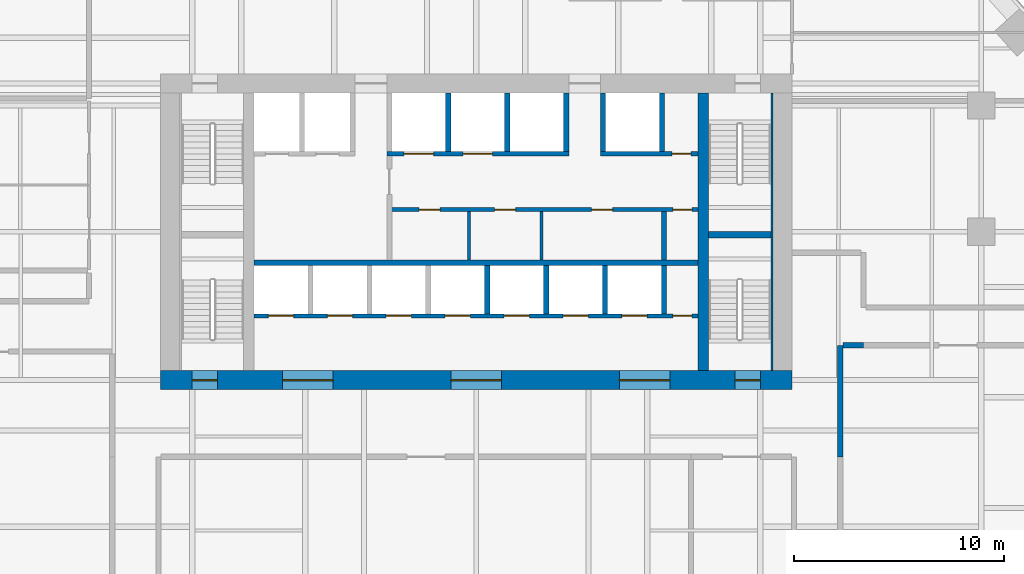
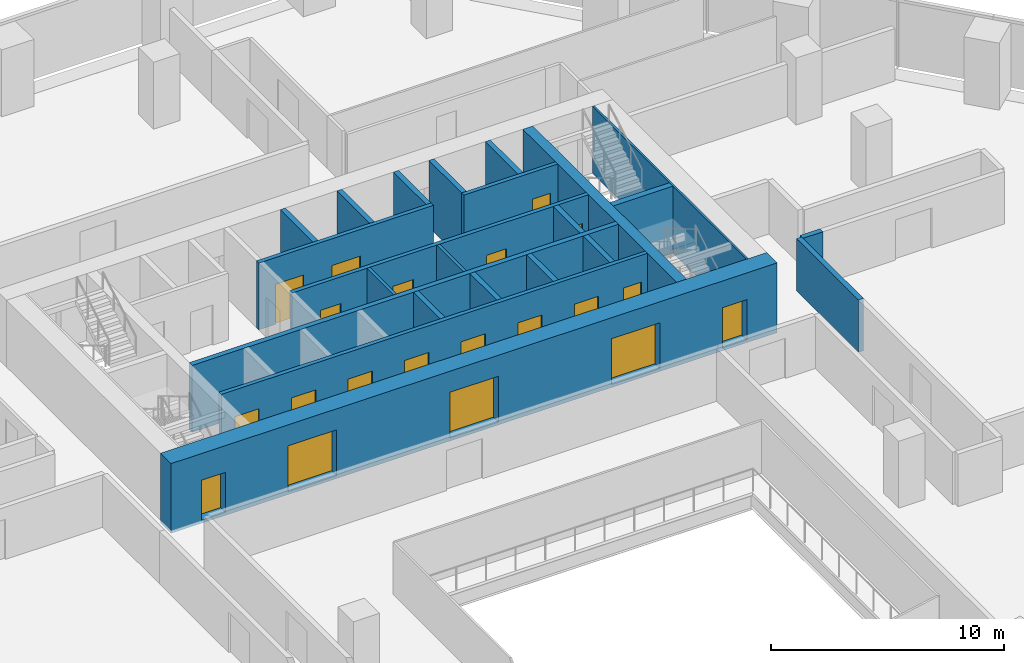
# One storey, part 15 of 19: 23 walls, 20 doors, 20 openings.
"""IFC4 building model written with IfcOpenShell, lengths in metres."""

from ifc_helpers import new_model, si_unit, direction, frame, frame_2d, origin, place, context, subcontext, project, spatial, rectangle, extrude, material, layer, layer_set, type_object, element, fill, save


model = new_model("IFC4")

# Units and contexts
model_context = context("Model", 3, precision=1e-05, world=origin(), true_north=direction((0.0, 1.0)))
body_context = subcontext(model_context, "Body", "Model", "MODEL_VIEW")
ifc_project = project(units=[si_unit("LENGTHUNIT", "METRE"), si_unit("AREAUNIT", "SQUARE_METRE"), si_unit("VOLUMEUNIT", "CUBIC_METRE"), si_unit("PLANEANGLEUNIT", "RADIAN"), si_unit("MASSUNIT", "GRAM", prefix="KILO")], contexts=[model_context])

# Site, building, storey
site_placement = place(None, origin())
site = spatial("IfcSite", under=ifc_project, at=site_placement, CompositionType="ELEMENT")
building_placement = place(site_placement, origin())
building = spatial("IfcBuilding", under=site, at=building_placement, Name="Isthmus Gate Tower", CompositionType="ELEMENT")
storey_placement = place(building_placement, frame((0.0, 0.0, 87.949951171875)))
storey = spatial("IfcBuildingStorey", under=building, at=storey_placement, Name="L20", CompositionType="ELEMENT", Elevation=87.949951171875)

# Walls
ifc_material_1 = material(Name="Double-leaf acoustic stud wall, fire-rated", Category="gypsum")
ifc_layer_1 = layer(ifc_material_1, 0.25)
ifc_layer_set_1 = layer_set([ifc_layer_1], Name="ACOUSTIC WALL 250 60 MIN")
wall_type_1 = type_object("IfcWallType", Name="ACOUSTIC WALL 250 60 MIN", PredefinedType="PARTITIONING", material=ifc_layer_set_1)
wall_1_placement = place(storey_placement, frame((17.298095703125, 2.10205078125, 0.0), z_axis=(0.0, 0.0, 1.0), x_axis=(0.0, -1.0, 0.0)))
element("IfcWall", 1, at=wall_1_placement, inside=storey, type_object=wall_type_1, Name="L20 Acoustic Wall 250 60 Min", PredefinedType="PARTITIONING", context=body_context, shape_type="SweptSolid", body=[
    extrude(rectangle(XDim=5.303955078125, YDim=0.25, at=frame_2d((2.65185546875, 0.0))), origin(), (0.0, 0.0, 1.0), 2.7412109375),
])
wall_2_placement = place(storey_placement, frame((18.402099609375, 2.10205078125, 0.0), z_axis=(0.0, 0.0, 1.0), x_axis=(-1.0, 0.0, 0.0)))
element("IfcWall", 2, at=wall_2_placement, inside=storey, type_object=wall_type_1, Name="L20 Acoustic Wall 250 60 Min", PredefinedType="PARTITIONING", context=body_context, shape_type="SweptSolid", body=[
    extrude(rectangle(XDim=0.97900390625, YDim=0.25, at=frame_2d((0.489501953125, 0.0))), origin(), (0.0, 0.0, 1.0), 2.7412109375),
])
ifc_material_2 = material(Name="Concrete f'c 70 MPa", Category="concrete")
ifc_layer_2 = layer(ifc_material_2, 0.5)
ifc_layer_set_2 = layer_set([ifc_layer_2], Name="RC CORE SPINE WALL 500 F'C 70")
wall_type_2 = type_object("IfcWallType", Name="RC CORE SPINE WALL 500 F'C 70", PredefinedType="SOLIDWALL", material=ifc_layer_set_2)
wall_3_placement = place(storey_placement, frame((10.800048828125, 0.89990234375, -0.14990234375), z_axis=(0.0, 0.0, 1.0), x_axis=(0.0, 1.0, 0.0)))
element("IfcWall", 3, at=wall_3_placement, inside=storey, type_object=wall_type_2, Name="str-corewall-L20-SPE", PredefinedType="SOLIDWALL", context=body_context, shape_type="SweptSolid", body=[
    extrude(rectangle(XDim=13.2001953125, YDim=0.5, at=frame_2d((6.60009765625, 0.0))), origin(), (0.0, 0.0, 1.0), 3.64990234375),
])

# Wall, openings, doors
ifc_material_3 = material(Name="Concrete f'c 70 MPa", Category="concrete")
ifc_layer_3 = layer(ifc_material_3, 0.89990234375)
ifc_layer_set_3 = layer_set([ifc_layer_3], Name="RC CORE WALL 900 F'C 70")
wall_type_3 = type_object("IfcWallType", Name="RC CORE WALL 900 F'C 70", PredefinedType="SOLIDWALL", material=ifc_layer_set_3)
wall_4_placement = place(storey_placement, frame((-15.0, 0.449951171875, -0.14990234375), z_axis=(0.0, 0.0, 1.0), x_axis=(1.0, 0.0, 0.0)))
wall_4 = element("IfcWall", 4, at=wall_4_placement, inside=storey, type_object=wall_type_3, Name="str-corewall-L20-S", PredefinedType="SOLIDWALL", context=body_context, shape_type="SweptSolid", body=[
    extrude(rectangle(XDim=30.0, YDim=0.89990234375, at=frame_2d((15.0, 0.0))), origin(), (0.0, 0.0, 1.0), 3.64990234375),
])
opening_1_placement = place(wall_4_placement, frame((5.800048828125, 0.0, 0.14990234375)))
opening_1 = element("IfcOpeningElement", 5, at=opening_1_placement, cuts=wall_4, Name="Opening DC-A05-08", PredefinedType="OPENING", context=body_context, shape_type="SweptSolid", body=[
    extrude(rectangle(XDim=2.39990234375, YDim=2.39990234375, at=frame_2d((1.199951171875, 1.199951171875))), frame((0.0, 0.4599609375, 0.0), z_axis=(0.0, -1.0, 0.0), x_axis=(1.0, 0.0, 0.0)), (0.0, 0.0, 1.0), 0.919921875),
])
opening_2_placement = place(wall_4_placement, frame((13.800048828125, 0.0, 0.14990234375)))
opening_2 = element("IfcOpeningElement", 6, at=opening_2_placement, cuts=wall_4, Name="Opening DC-A05-09", PredefinedType="OPENING", context=body_context, shape_type="SweptSolid", body=[
    extrude(rectangle(XDim=2.39990234375, YDim=2.39990234375, at=frame_2d((1.199951171875, 1.199951171875))), frame((0.0, 0.4599609375, 0.0), z_axis=(0.0, -1.0, 0.0), x_axis=(1.0, 0.0, 0.0)), (0.0, 0.0, 1.0), 0.919921875),
])
opening_3_placement = place(wall_4_placement, frame((21.800048828125, 0.0, 0.14990234375)))
opening_3 = element("IfcOpeningElement", 7, at=opening_3_placement, cuts=wall_4, Name="Opening DC-A05-10", PredefinedType="OPENING", context=body_context, shape_type="SweptSolid", body=[
    extrude(rectangle(XDim=2.39990234375, YDim=2.39990234375, at=frame_2d((1.199951171875, 1.199951171875))), frame((0.0, 0.4599609375, 0.0), z_axis=(0.0, -1.0, 0.0), x_axis=(1.0, 0.0, 0.0)), (0.0, 0.0, 1.0), 0.919921875),
])
opening_4_placement = place(wall_4_placement, frame((1.5, 0.0, 0.14990234375)))
opening_4 = element("IfcOpeningElement", 8, at=opening_4_placement, cuts=wall_4, Name="Opening DC-A05-15", PredefinedType="OPENING", context=body_context, shape_type="SweptSolid", body=[
    extrude(rectangle(XDim=1.199951171875, YDim=2.10009765625, at=frame_2d((0.60009765625, 1.050048828125))), frame((0.0, 0.4599609375, 0.0), z_axis=(0.0, -1.0, 0.0), x_axis=(1.0, 0.0, 0.0)), (0.0, 0.0, 1.0), 0.919921875),
])
opening_5_placement = place(wall_4_placement, frame((27.300048828125, 0.0, 0.14990234375)))
opening_5 = element("IfcOpeningElement", 9, at=opening_5_placement, cuts=wall_4, Name="Opening DC-A05-16", PredefinedType="OPENING", context=body_context, shape_type="SweptSolid", body=[
    extrude(rectangle(XDim=1.199951171875, YDim=2.10009765625, at=frame_2d((0.60009765625, 1.050048828125))), frame((0.0, 0.4599609375, 0.0), z_axis=(0.0, -1.0, 0.0), x_axis=(1.0, 0.0, 0.0)), (0.0, 0.0, 1.0), 0.919921875),
])
ifc_material_4 = material(Name="Laminated safety glass in steel frame, fire-rated", Category="steel")
door_type_1 = type_object("IfcDoorType", Name="LOBBY ENTRANCE FIRE DOOR 2400 X 2400 60 MIN", OperationType="DOUBLE_DOOR_DOUBLE_SWING", PredefinedType="DOOR", material=ifc_material_4)
door_1_placement = place(opening_1_placement, origin())
door_1 = element("IfcDoor", 10, at=door_1_placement, inside=storey, type_object=door_type_1, Name="Lobby Entrance PS-W", OperationType="DOUBLE_DOOR_DOUBLE_SWING", OverallHeight=2.39990234375, OverallWidth=2.39990234375, PredefinedType="DOOR", context=body_context, shape_type="SweptSolid", body=[
    extrude(rectangle(XDim=2.39990234375, YDim=2.39990234375, at=frame_2d((1.199951171875, 1.199951171875))), frame((0.0, 0.02490234375, 0.0), z_axis=(0.0, -1.0, 0.0), x_axis=(1.0, 0.0, 0.0)), (0.0, 0.0, 1.0), 0.050048828125),
])
fill(opening_1, door_1)
door_2_placement = place(opening_2_placement, origin())
door_2 = element("IfcDoor", 11, at=door_2_placement, inside=storey, type_object=door_type_1, Name="Lobby Entrance PS-C", OperationType="DOUBLE_DOOR_DOUBLE_SWING", OverallHeight=2.39990234375, OverallWidth=2.39990234375, PredefinedType="DOOR", context=body_context, shape_type="SweptSolid", body=[
    extrude(rectangle(XDim=2.39990234375, YDim=2.39990234375, at=frame_2d((1.199951171875, 1.199951171875))), frame((0.0, 0.02490234375, 0.0), z_axis=(0.0, -1.0, 0.0), x_axis=(1.0, 0.0, 0.0)), (0.0, 0.0, 1.0), 0.050048828125),
])
fill(opening_2, door_2)
door_3_placement = place(opening_3_placement, origin())
door_3 = element("IfcDoor", 12, at=door_3_placement, inside=storey, type_object=door_type_1, Name="Lobby Entrance PS-E", OperationType="DOUBLE_DOOR_DOUBLE_SWING", OverallHeight=2.39990234375, OverallWidth=2.39990234375, PredefinedType="DOOR", context=body_context, shape_type="SweptSolid", body=[
    extrude(rectangle(XDim=2.39990234375, YDim=2.39990234375, at=frame_2d((1.199951171875, 1.199951171875))), frame((0.0, 0.02490234375, 0.0), z_axis=(0.0, -1.0, 0.0), x_axis=(1.0, 0.0, 0.0)), (0.0, 0.0, 1.0), 0.050048828125),
])
fill(opening_3, door_3)
ifc_material_5 = material(Name="Steel door leaf, fire-rated", Category="steel")
door_type_2 = type_object("IfcDoorType", Name="STAIR FIRE DOOR 1200 X 2100 90 MIN", OperationType="SINGLE_SWING_LEFT", PredefinedType="DOOR", material=ifc_material_5)
door_4_placement = place(opening_4_placement, origin())
door_4 = element("IfcDoor", 13, at=door_4_placement, inside=storey, type_object=door_type_2, Name="Exit Stair 7 Door", OperationType="SINGLE_SWING_LEFT", OverallHeight=2.10009765625, OverallWidth=1.199951171875, PredefinedType="DOOR", context=body_context, shape_type="SweptSolid", body=[
    extrude(rectangle(XDim=1.199951171875, YDim=2.10009765625, at=frame_2d((0.60009765625, 1.050048828125))), frame((0.0, 0.02490234375, 0.0), z_axis=(0.0, -1.0, 0.0), x_axis=(1.0, 0.0, 0.0)), (0.0, 0.0, 1.0), 0.050048828125),
])
fill(opening_4, door_4)
door_5_placement = place(opening_5_placement, origin())
door_5 = element("IfcDoor", 14, at=door_5_placement, inside=storey, type_object=door_type_2, Name="Exit Stair 8 Door", OperationType="SINGLE_SWING_RIGHT", OverallHeight=2.10009765625, OverallWidth=1.199951171875, PredefinedType="DOOR", context=body_context, shape_type="SweptSolid", body=[
    extrude(rectangle(XDim=1.199951171875, YDim=2.10009765625, at=frame_2d((0.60009765625, 1.050048828125))), frame((0.0, 0.02490234375, 0.0), z_axis=(0.0, -1.0, 0.0), x_axis=(1.0, 0.0, 0.0)), (0.0, 0.0, 1.0), 0.050048828125),
])
fill(opening_5, door_5)

# Walls
ifc_material_6 = material(Name="Gypsum board on steel studs, fire-rated", Category="steel")
ifc_layer_4 = layer(ifc_material_6, 0.14990234375)
ifc_layer_set_4 = layer_set([ifc_layer_4], Name="ROOM PARTITION 150 60 MIN")
wall_type_4 = type_object("IfcWallType", Name="ROOM PARTITION 150 60 MIN", PredefinedType="PARTITIONING", material=ifc_layer_set_4)
for number, where, z_axis, x_axis, name in (
    (15, (-0.35009765625, 6.14990234375, 0.0), (0.0, 0.0, 1.0), (0.0, 1.0, 0.0), "L20 ROOM PARTITION 150 60 MIN"),
    (16, (3.10009765625, 6.14990234375, 0.0), (0.0, 0.0, 1.0), (0.0, 1.0, 0.0), "L20 ROOM PARTITION 150 60 MIN"),
):
    element("IfcWall", number, at=place(storey_placement, frame(where, z_axis=z_axis, x_axis=x_axis)), inside=storey, type_object=wall_type_4, Name=name, PredefinedType="PARTITIONING", context=body_context, shape_type="SweptSolid", body=[
        extrude(rectangle(XDim=2.300048828125, YDim=0.14990234375, at=frame_2d((1.14990234375, 0.0))), origin(), (0.0, 0.0, 1.0), 3.5),
    ])

# Wall, openings, doors
ifc_material_7 = material(Name="Fire-rated blockwork masonry, 15 MPa", Category="masonry")
ifc_layer_5 = layer(ifc_material_7, 0.199951171875)
ifc_layer_set_5 = layer_set([ifc_layer_5], Name="SHAFT FRONT WALL 200 120 MIN")
wall_type_5 = type_object("IfcWallType", Name="SHAFT FRONT WALL 200 120 MIN", PredefinedType="PARTITIONING", material=ifc_layer_set_5)
wall_5_placement = place(storey_placement, frame((-10.550048828125, 3.5, 0.0), z_axis=(0.0, 0.0, 1.0), x_axis=(1.0, 0.0, 0.0)))
wall_5 = element("IfcWall", 17, at=wall_5_placement, inside=storey, type_object=wall_type_5, Name="L20 SHAFT FRONT WALL 200 120 MIN", PredefinedType="PARTITIONING", context=body_context, shape_type="SweptSolid", body=[
    extrude(rectangle(XDim=21.10009765625, YDim=0.199951171875, at=frame_2d((10.550048828125, 0.0))), origin(), (0.0, 0.0, 1.0), 3.5),
])
opening_6_placement = place(wall_5_placement, frame((0.675048828125, 0.0, 0.0)))
opening_6 = element("IfcOpeningElement", 18, at=opening_6_placement, cuts=wall_5, Name="Opening LD-LA1", PredefinedType="OPENING", context=body_context, shape_type="SweptSolid", body=[
    extrude(rectangle(XDim=1.199951171875, YDim=2.10009765625, at=frame_2d((0.60009765625, 1.050048828125))), frame((0.0, 0.10986328125, 0.0), z_axis=(0.0, -1.0, 0.0), x_axis=(1.0, 0.0, 0.0)), (0.0, 0.0, 1.0), 0.219970703125),
])
opening_7_placement = place(wall_5_placement, frame((3.47509765625, 0.0, 0.0)))
opening_7 = element("IfcOpeningElement", 19, at=opening_7_placement, cuts=wall_5, Name="Opening LD-LA2", PredefinedType="OPENING", context=body_context, shape_type="SweptSolid", body=[
    extrude(rectangle(XDim=1.199951171875, YDim=2.10009765625, at=frame_2d((0.60009765625, 1.050048828125))), frame((0.0, 0.10986328125, 0.0), z_axis=(0.0, -1.0, 0.0), x_axis=(1.0, 0.0, 0.0)), (0.0, 0.0, 1.0), 0.219970703125),
])
opening_8_placement = place(wall_5_placement, frame((6.27490234375, 0.0, 0.0)))
opening_8 = element("IfcOpeningElement", 20, at=opening_8_placement, cuts=wall_5, Name="Opening LD-LA3", PredefinedType="OPENING", context=body_context, shape_type="SweptSolid", body=[
    extrude(rectangle(XDim=1.199951171875, YDim=2.10009765625, at=frame_2d((0.60009765625, 1.050048828125))), frame((0.0, 0.10986328125, 0.0), z_axis=(0.0, -1.0, 0.0), x_axis=(1.0, 0.0, 0.0)), (0.0, 0.0, 1.0), 0.219970703125),
])
opening_9_placement = place(wall_5_placement, frame((9.074951171875, 0.0, 0.0)))
opening_9 = element("IfcOpeningElement", 21, at=opening_9_placement, cuts=wall_5, Name="Opening LD-LA4", PredefinedType="OPENING", context=body_context, shape_type="SweptSolid", body=[
    extrude(rectangle(XDim=1.199951171875, YDim=2.10009765625, at=frame_2d((0.60009765625, 1.050048828125))), frame((0.0, 0.10986328125, 0.0), z_axis=(0.0, -1.0, 0.0), x_axis=(1.0, 0.0, 0.0)), (0.0, 0.0, 1.0), 0.219970703125),
])
opening_10_placement = place(wall_5_placement, frame((11.875, 0.0, 0.0)))
opening_10 = element("IfcOpeningElement", 22, at=opening_10_placement, cuts=wall_5, Name="Opening LD-LA5", PredefinedType="OPENING", context=body_context, shape_type="SweptSolid", body=[
    extrude(rectangle(XDim=1.199951171875, YDim=2.10009765625, at=frame_2d((0.60009765625, 1.050048828125))), frame((0.0, 0.10986328125, 0.0), z_axis=(0.0, -1.0, 0.0), x_axis=(1.0, 0.0, 0.0)), (0.0, 0.0, 1.0), 0.219970703125),
])
opening_11_placement = place(wall_5_placement, frame((14.675048828125, 0.0, 0.0)))
opening_11 = element("IfcOpeningElement", 23, at=opening_11_placement, cuts=wall_5, Name="Opening LD-LA6", PredefinedType="OPENING", context=body_context, shape_type="SweptSolid", body=[
    extrude(rectangle(XDim=1.199951171875, YDim=2.10009765625, at=frame_2d((0.60009765625, 1.050048828125))), frame((0.0, 0.10986328125, 0.0), z_axis=(0.0, -1.0, 0.0), x_axis=(1.0, 0.0, 0.0)), (0.0, 0.0, 1.0), 0.219970703125),
])
opening_12_placement = place(wall_5_placement, frame((17.47509765625, 0.0, 0.0)))
opening_12 = element("IfcOpeningElement", 24, at=opening_12_placement, cuts=wall_5, Name="Opening LD-LA7", PredefinedType="OPENING", context=body_context, shape_type="SweptSolid", body=[
    extrude(rectangle(XDim=1.199951171875, YDim=2.10009765625, at=frame_2d((0.60009765625, 1.050048828125))), frame((0.0, 0.10986328125, 0.0), z_axis=(0.0, -1.0, 0.0), x_axis=(1.0, 0.0, 0.0)), (0.0, 0.0, 1.0), 0.219970703125),
])
opening_13_placement = place(wall_5_placement, frame((19.89990234375, 0.0, 0.0)))
opening_13 = element("IfcOpeningElement", 25, at=opening_13_placement, cuts=wall_5, Name="Opening DC-A05-02", PredefinedType="OPENING", context=body_context, shape_type="SweptSolid", body=[
    extrude(rectangle(XDim=0.89990234375, YDim=2.10009765625, at=frame_2d((0.449951171875, 1.050048828125))), frame((0.0, 0.10986328125, 0.0), z_axis=(0.0, -1.0, 0.0), x_axis=(1.0, 0.0, 0.0)), (0.0, 0.0, 1.0), 0.219970703125),
])
ifc_material_8 = material(Name="Stainless steel sliding leaf", Category="steel")
door_type_3 = type_object("IfcDoorType", Name="LIFT LANDING FIRE DOOR 1200 X 2100 90 MIN", OperationType="DOUBLE_DOOR_SLIDING", PredefinedType="DOOR", material=ifc_material_8)
door_6_placement = place(opening_6_placement, origin())
door_6 = element("IfcDoor", 26, at=door_6_placement, inside=storey, type_object=door_type_3, Name="Lift Landing Door LA1", OperationType="DOUBLE_DOOR_SLIDING", OverallHeight=2.10009765625, OverallWidth=1.199951171875, PredefinedType="DOOR", context=body_context, shape_type="SweptSolid", body=[
    extrude(rectangle(XDim=1.199951171875, YDim=2.10009765625, at=frame_2d((0.60009765625, 1.050048828125))), frame((0.0, 0.02490234375, 0.0), z_axis=(0.0, -1.0, 0.0), x_axis=(1.0, 0.0, 0.0)), (0.0, 0.0, 1.0), 0.050048828125),
])
fill(opening_6, door_6)
door_7_placement = place(opening_7_placement, origin())
door_7 = element("IfcDoor", 27, at=door_7_placement, inside=storey, type_object=door_type_3, Name="Lift Landing Door LA2", OperationType="DOUBLE_DOOR_SLIDING", OverallHeight=2.10009765625, OverallWidth=1.199951171875, PredefinedType="DOOR", context=body_context, shape_type="SweptSolid", body=[
    extrude(rectangle(XDim=1.199951171875, YDim=2.10009765625, at=frame_2d((0.60009765625, 1.050048828125))), frame((0.0, 0.02490234375, 0.0), z_axis=(0.0, -1.0, 0.0), x_axis=(1.0, 0.0, 0.0)), (0.0, 0.0, 1.0), 0.050048828125),
])
fill(opening_7, door_7)
door_8_placement = place(opening_8_placement, origin())
door_8 = element("IfcDoor", 28, at=door_8_placement, inside=storey, type_object=door_type_3, Name="Lift Landing Door LA3", OperationType="DOUBLE_DOOR_SLIDING", OverallHeight=2.10009765625, OverallWidth=1.199951171875, PredefinedType="DOOR", context=body_context, shape_type="SweptSolid", body=[
    extrude(rectangle(XDim=1.199951171875, YDim=2.10009765625, at=frame_2d((0.60009765625, 1.050048828125))), frame((0.0, 0.02490234375, 0.0), z_axis=(0.0, -1.0, 0.0), x_axis=(1.0, 0.0, 0.0)), (0.0, 0.0, 1.0), 0.050048828125),
])
fill(opening_8, door_8)
door_9_placement = place(opening_9_placement, origin())
door_9 = element("IfcDoor", 29, at=door_9_placement, inside=storey, type_object=door_type_3, Name="Lift Landing Door LA4", OperationType="DOUBLE_DOOR_SLIDING", OverallHeight=2.10009765625, OverallWidth=1.199951171875, PredefinedType="DOOR", context=body_context, shape_type="SweptSolid", body=[
    extrude(rectangle(XDim=1.199951171875, YDim=2.10009765625, at=frame_2d((0.60009765625, 1.050048828125))), frame((0.0, 0.02490234375, 0.0), z_axis=(0.0, -1.0, 0.0), x_axis=(1.0, 0.0, 0.0)), (0.0, 0.0, 1.0), 0.050048828125),
])
fill(opening_9, door_9)
door_10_placement = place(opening_10_placement, origin())
door_10 = element("IfcDoor", 30, at=door_10_placement, inside=storey, type_object=door_type_3, Name="Lift Landing Door LA5", OperationType="DOUBLE_DOOR_SLIDING", OverallHeight=2.10009765625, OverallWidth=1.199951171875, PredefinedType="DOOR", context=body_context, shape_type="SweptSolid", body=[
    extrude(rectangle(XDim=1.199951171875, YDim=2.10009765625, at=frame_2d((0.60009765625, 1.050048828125))), frame((0.0, 0.02490234375, 0.0), z_axis=(0.0, -1.0, 0.0), x_axis=(1.0, 0.0, 0.0)), (0.0, 0.0, 1.0), 0.050048828125),
])
fill(opening_10, door_10)
door_11_placement = place(opening_11_placement, origin())
door_11 = element("IfcDoor", 31, at=door_11_placement, inside=storey, type_object=door_type_3, Name="Lift Landing Door LA6", OperationType="DOUBLE_DOOR_SLIDING", OverallHeight=2.10009765625, OverallWidth=1.199951171875, PredefinedType="DOOR", context=body_context, shape_type="SweptSolid", body=[
    extrude(rectangle(XDim=1.199951171875, YDim=2.10009765625, at=frame_2d((0.60009765625, 1.050048828125))), frame((0.0, 0.02490234375, 0.0), z_axis=(0.0, -1.0, 0.0), x_axis=(1.0, 0.0, 0.0)), (0.0, 0.0, 1.0), 0.050048828125),
])
fill(opening_11, door_11)
door_12_placement = place(opening_12_placement, origin())
door_12 = element("IfcDoor", 32, at=door_12_placement, inside=storey, type_object=door_type_3, Name="Lift Landing Door LA7", OperationType="DOUBLE_DOOR_SLIDING", OverallHeight=2.10009765625, OverallWidth=1.199951171875, PredefinedType="DOOR", context=body_context, shape_type="SweptSolid", body=[
    extrude(rectangle(XDim=1.199951171875, YDim=2.10009765625, at=frame_2d((0.60009765625, 1.050048828125))), frame((0.0, 0.02490234375, 0.0), z_axis=(0.0, -1.0, 0.0), x_axis=(1.0, 0.0, 0.0)), (0.0, 0.0, 1.0), 0.050048828125),
])
fill(opening_12, door_12)
ifc_material_9 = material(Name="Steel door leaf, fire-rated", Category="steel")
door_type_4 = type_object("IfcDoorType", Name="RISER FIRE DOOR 900 X 2100 90 MIN", OperationType="SINGLE_SWING_LEFT", PredefinedType="DOOR", material=ifc_material_9)
door_13_placement = place(opening_13_placement, origin())
door_13 = element("IfcDoor", 33, at=door_13_placement, inside=storey, type_object=door_type_4, Name="Riser Door", OperationType="SINGLE_SWING_RIGHT", OverallHeight=2.10009765625, OverallWidth=0.89990234375, PredefinedType="DOOR", context=body_context, shape_type="SweptSolid", body=[
    extrude(rectangle(XDim=0.89990234375, YDim=2.10009765625, at=frame_2d((0.449951171875, 1.050048828125))), frame((0.0, 0.02490234375, 0.0), z_axis=(0.0, -1.0, 0.0), x_axis=(1.0, 0.0, 0.0)), (0.0, 0.0, 1.0), 0.050048828125),
])
fill(opening_13, door_13)

wall_6_placement = place(storey_placement, frame((-4.125, 8.550048828125, 0.0), z_axis=(0.0, 0.0, 1.0), x_axis=(1.0, 0.0, 0.0)))
wall_6 = element("IfcWall", 34, at=wall_6_placement, inside=storey, type_object=wall_type_5, Name="L20 SHAFT FRONT WALL 200 120 MIN", PredefinedType="PARTITIONING", context=body_context, shape_type="SweptSolid", body=[
    extrude(rectangle(XDim=14.675048828125, YDim=0.199951171875, at=frame_2d((7.33740234375, 0.0))), origin(), (0.0, 0.0, 1.0), 3.5),
])
opening_14_placement = place(wall_6_placement, frame((1.41259765625, 0.0, 0.0)))
opening_14 = element("IfcOpeningElement", 35, at=opening_14_placement, cuts=wall_6, Name="Opening DC-A05-03", PredefinedType="OPENING", context=body_context, shape_type="SweptSolid", body=[
    extrude(rectangle(XDim=1.0, YDim=2.10009765625, at=frame_2d((0.5, 1.050048828125))), frame((0.0, 0.10986328125, 0.0), z_axis=(0.0, -1.0, 0.0), x_axis=(1.0, 0.0, 0.0)), (0.0, 0.0, 1.0), 0.219970703125),
])
opening_15_placement = place(wall_6_placement, frame((5.0, 0.0, 0.0)))
opening_15 = element("IfcOpeningElement", 36, at=opening_15_placement, cuts=wall_6, Name="Opening DC-A05-04", PredefinedType="OPENING", context=body_context, shape_type="SweptSolid", body=[
    extrude(rectangle(XDim=1.0, YDim=2.10009765625, at=frame_2d((0.5, 1.050048828125))), frame((0.0, 0.10986328125, 0.0), z_axis=(0.0, -1.0, 0.0), x_axis=(1.0, 0.0, 0.0)), (0.0, 0.0, 1.0), 0.219970703125),
])
opening_16_placement = place(wall_6_placement, frame((9.612548828125, 0.0, 0.0)))
opening_16 = element("IfcOpeningElement", 37, at=opening_16_placement, cuts=wall_6, Name="Opening DC-A05-05", PredefinedType="OPENING", context=body_context, shape_type="SweptSolid", body=[
    extrude(rectangle(XDim=1.0, YDim=2.10009765625, at=frame_2d((0.5, 1.050048828125))), frame((0.0, 0.10986328125, 0.0), z_axis=(0.0, -1.0, 0.0), x_axis=(1.0, 0.0, 0.0)), (0.0, 0.0, 1.0), 0.219970703125),
])
opening_17_placement = place(wall_6_placement, frame((13.47509765625, 0.0, 0.0)))
opening_17 = element("IfcOpeningElement", 38, at=opening_17_placement, cuts=wall_6, Name="Opening DC-A05-06", PredefinedType="OPENING", context=body_context, shape_type="SweptSolid", body=[
    extrude(rectangle(XDim=0.89990234375, YDim=2.10009765625, at=frame_2d((0.449951171875, 1.050048828125))), frame((0.0, 0.10986328125, 0.0), z_axis=(0.0, -1.0, 0.0), x_axis=(1.0, 0.0, 0.0)), (0.0, 0.0, 1.0), 0.219970703125),
])
ifc_material_10 = material(Name="Steel door leaf, fire-rated", Category="steel")
door_type_5 = type_object("IfcDoorType", Name="FIRE DOOR 1000 X 2100 60 MIN", OperationType="SINGLE_SWING_LEFT", PredefinedType="DOOR", material=ifc_material_10)
door_14_placement = place(opening_14_placement, origin())
door_14 = element("IfcDoor", 39, at=door_14_placement, inside=storey, type_object=door_type_5, Name="WC Women Door", OperationType="SINGLE_SWING_LEFT", OverallHeight=2.10009765625, OverallWidth=1.0, PredefinedType="DOOR", context=body_context, shape_type="SweptSolid", body=[
    extrude(rectangle(XDim=1.0, YDim=2.10009765625, at=frame_2d((0.5, 1.050048828125))), frame((0.0, 0.02490234375, 0.0), z_axis=(0.0, -1.0, 0.0), x_axis=(1.0, 0.0, 0.0)), (0.0, 0.0, 1.0), 0.050048828125),
])
fill(opening_14, door_14)
door_15_placement = place(opening_15_placement, origin())
door_15 = element("IfcDoor", 40, at=door_15_placement, inside=storey, type_object=door_type_5, Name="WC Men Door", OperationType="SINGLE_SWING_RIGHT", OverallHeight=2.10009765625, OverallWidth=1.0, PredefinedType="DOOR", context=body_context, shape_type="SweptSolid", body=[
    extrude(rectangle(XDim=1.0, YDim=2.10009765625, at=frame_2d((0.5, 1.050048828125))), frame((0.0, 0.02490234375, 0.0), z_axis=(0.0, -1.0, 0.0), x_axis=(1.0, 0.0, 0.0)), (0.0, 0.0, 1.0), 0.050048828125),
])
fill(opening_15, door_15)
door_16_placement = place(opening_16_placement, origin())
door_16 = element("IfcDoor", 41, at=door_16_placement, inside=storey, type_object=door_type_5, Name="Accessible WC Door", OperationType="SINGLE_SWING_LEFT", OverallHeight=2.10009765625, OverallWidth=1.0, PredefinedType="DOOR", context=body_context, shape_type="SweptSolid", body=[
    extrude(rectangle(XDim=1.0, YDim=2.10009765625, at=frame_2d((0.5, 1.050048828125))), frame((0.0, 0.02490234375, 0.0), z_axis=(0.0, -1.0, 0.0), x_axis=(1.0, 0.0, 0.0)), (0.0, 0.0, 1.0), 0.050048828125),
])
fill(opening_16, door_16)
door_17_placement = place(opening_17_placement, origin())
door_17 = element("IfcDoor", 42, at=door_17_placement, inside=storey, type_object=door_type_4, Name="Riser Door", OperationType="SINGLE_SWING_RIGHT", OverallHeight=2.10009765625, OverallWidth=0.89990234375, PredefinedType="DOOR", context=body_context, shape_type="SweptSolid", body=[
    extrude(rectangle(XDim=0.89990234375, YDim=2.10009765625, at=frame_2d((0.449951171875, 1.050048828125))), frame((0.0, 0.02490234375, 0.0), z_axis=(0.0, -1.0, 0.0), x_axis=(1.0, 0.0, 0.0)), (0.0, 0.0, 1.0), 0.050048828125),
])
fill(opening_17, door_17)

wall_7_placement = place(storey_placement, frame((-4.25, 11.199951171875, 0.0), z_axis=(0.0, 0.0, 1.0), x_axis=(1.0, 0.0, 0.0)))
wall_7 = element("IfcWall", 43, at=wall_7_placement, inside=storey, type_object=wall_type_5, Name="L20 SHAFT FRONT WALL 200 120 MIN", PredefinedType="PARTITIONING", context=body_context, shape_type="SweptSolid", body=[
    extrude(rectangle(XDim=8.64990234375, YDim=0.199951171875, at=frame_2d((4.324951171875, 0.0))), origin(), (0.0, 0.0, 1.0), 3.5),
])
opening_18_placement = place(wall_7_placement, frame((0.824951171875, 0.0, 0.0)))
opening_18 = element("IfcOpeningElement", 44, at=opening_18_placement, cuts=wall_7, Name="Opening LD-LV1", PredefinedType="OPENING", context=body_context, shape_type="SweptSolid", body=[
    extrude(rectangle(XDim=1.39990234375, YDim=2.10009765625, at=frame_2d((0.699951171875, 1.050048828125))), frame((0.0, 0.10986328125, 0.0), z_axis=(0.0, -1.0, 0.0), x_axis=(1.0, 0.0, 0.0)), (0.0, 0.0, 1.0), 0.219970703125),
])
opening_19_placement = place(wall_7_placement, frame((3.625, 0.0, 0.0)))
opening_19 = element("IfcOpeningElement", 45, at=opening_19_placement, cuts=wall_7, Name="Opening LD-LV2", PredefinedType="OPENING", context=body_context, shape_type="SweptSolid", body=[
    extrude(rectangle(XDim=1.39990234375, YDim=2.10009765625, at=frame_2d((0.699951171875, 1.050048828125))), frame((0.0, 0.10986328125, 0.0), z_axis=(0.0, -1.0, 0.0), x_axis=(1.0, 0.0, 0.0)), (0.0, 0.0, 1.0), 0.219970703125),
])
ifc_material_11 = material(Name="Stainless steel sliding leaf", Category="steel")
door_type_6 = type_object("IfcDoorType", Name="LIFT LANDING FIRE DOOR 1400 X 2100 90 MIN", OperationType="DOUBLE_DOOR_SLIDING", PredefinedType="DOOR", material=ifc_material_11)
door_18_placement = place(opening_18_placement, origin())
door_18 = element("IfcDoor", 46, at=door_18_placement, inside=storey, type_object=door_type_6, Name="Lift Landing Door LV1", OperationType="DOUBLE_DOOR_SLIDING", OverallHeight=2.10009765625, OverallWidth=1.39990234375, PredefinedType="DOOR", context=body_context, shape_type="SweptSolid", body=[
    extrude(rectangle(XDim=1.39990234375, YDim=2.10009765625, at=frame_2d((0.699951171875, 1.050048828125))), frame((0.0, 0.02490234375, 0.0), z_axis=(0.0, -1.0, 0.0), x_axis=(1.0, 0.0, 0.0)), (0.0, 0.0, 1.0), 0.050048828125),
])
fill(opening_18, door_18)
door_19_placement = place(opening_19_placement, origin())
door_19 = element("IfcDoor", 47, at=door_19_placement, inside=storey, type_object=door_type_6, Name="Lift Landing Door LV2", OperationType="DOUBLE_DOOR_SLIDING", OverallHeight=2.10009765625, OverallWidth=1.39990234375, PredefinedType="DOOR", context=body_context, shape_type="SweptSolid", body=[
    extrude(rectangle(XDim=1.39990234375, YDim=2.10009765625, at=frame_2d((0.699951171875, 1.050048828125))), frame((0.0, 0.02490234375, 0.0), z_axis=(0.0, -1.0, 0.0), x_axis=(1.0, 0.0, 0.0)), (0.0, 0.0, 1.0), 0.050048828125),
])
fill(opening_19, door_19)

# Wall, opening, door
wall_8_placement = place(storey_placement, frame((5.89990234375, 11.199951171875, 0.0), z_axis=(0.0, 0.0, 1.0), x_axis=(1.0, 0.0, 0.0)))
wall_8 = element("IfcWall", 48, at=wall_8_placement, inside=storey, type_object=wall_type_5, Name="L20 SHAFT FRONT WALL 200 120 MIN", PredefinedType="PARTITIONING", context=body_context, shape_type="SweptSolid", body=[
    extrude(rectangle(XDim=4.650146484375, YDim=0.199951171875, at=frame_2d((2.3251953125, 0.0))), origin(), (0.0, 0.0, 1.0), 3.5),
])
opening_20_placement = place(wall_8_placement, frame((3.39990234375, 0.0, 0.0)))
opening_20 = element("IfcOpeningElement", 49, at=opening_20_placement, cuts=wall_8, Name="Opening DC-A05-07", PredefinedType="OPENING", context=body_context, shape_type="SweptSolid", body=[
    extrude(rectangle(XDim=0.89990234375, YDim=2.10009765625, at=frame_2d((0.449951171875, 1.050048828125))), frame((0.0, 0.10986328125, 0.0), z_axis=(0.0, -1.0, 0.0), x_axis=(1.0, 0.0, 0.0)), (0.0, 0.0, 1.0), 0.219970703125),
])
door_20_placement = place(opening_20_placement, origin())
door_20 = element("IfcDoor", 50, at=door_20_placement, inside=storey, type_object=door_type_4, Name="Riser Door", OperationType="SINGLE_SWING_LEFT", OverallHeight=2.10009765625, OverallWidth=0.89990234375, PredefinedType="DOOR", context=body_context, shape_type="SweptSolid", body=[
    extrude(rectangle(XDim=0.89990234375, YDim=2.10009765625, at=frame_2d((0.449951171875, 1.050048828125))), frame((0.0, 0.02490234375, 0.0), z_axis=(0.0, -1.0, 0.0), x_axis=(1.0, 0.0, 0.0)), (0.0, 0.0, 1.0), 0.050048828125),
])
fill(opening_20, door_20)

# Walls
ifc_material_12 = material(Name="Fire-rated blockwork masonry, 15 MPa", Category="masonry")
ifc_layer_6 = layer(ifc_material_12, 0.25)
ifc_layer_set_6 = layer_set([ifc_layer_6], Name="SHAFT WALL 250 120 MIN")
wall_type_6 = type_object("IfcWallType", Name="SHAFT WALL 250 120 MIN", PredefinedType="PARTITIONING", material=ifc_layer_set_6)
wall_9_placement = place(storey_placement, frame((-10.550048828125, 6.02490234375, 0.0), z_axis=(0.0, 0.0, 1.0), x_axis=(1.0, 0.0, 0.0)))
element("IfcWall", 51, at=wall_9_placement, inside=storey, type_object=wall_type_6, Name="L20 SHAFT WALL 250 120 MIN", PredefinedType="PARTITIONING", context=body_context, shape_type="SweptSolid", body=[
    extrude(rectangle(XDim=21.10009765625, YDim=0.25, at=frame_2d((10.550048828125, 0.0))), origin(), (0.0, 0.0, 1.0), 3.5),
])
for number, where, z_axis, x_axis, name in (
    (52, (0.52490234375, 3.60009765625, 0.0), (0.0, 0.0, 1.0), (0.0, 1.0, 0.0), "L20 SHAFT WALL 250 120 MIN"),
    (53, (3.324951171875, 3.60009765625, 0.0), (0.0, 0.0, 1.0), (0.0, 1.0, 0.0), "L20 SHAFT WALL 250 120 MIN"),
    (54, (6.125, 3.60009765625, 0.0), (0.0, 0.0, 1.0), (0.0, 1.0, 0.0), "L20 SHAFT WALL 250 120 MIN"),
    (55, (8.925048828125, 3.60009765625, 0.0), (0.0, 0.0, 1.0), (0.0, 1.0, 0.0), "L20 SHAFT WALL 250 120 MIN"),
):
    element("IfcWall", number, at=place(storey_placement, frame(where, z_axis=z_axis, x_axis=x_axis)), inside=storey, type_object=wall_type_6, Name=name, PredefinedType="PARTITIONING", context=body_context, shape_type="SweptSolid", body=[
        extrude(rectangle(XDim=2.2998046875, YDim=0.25, at=frame_2d((1.14990234375, 0.0))), origin(), (0.0, 0.0, 1.0), 3.5),
    ])
wall_10_placement = place(storey_placement, frame((8.925048828125, 6.14990234375, 0.0), z_axis=(0.0, 0.0, 1.0), x_axis=(0.0, 1.0, 0.0)))
element("IfcWall", 56, at=wall_10_placement, inside=storey, type_object=wall_type_6, Name="L20 SHAFT WALL 250 120 MIN", PredefinedType="PARTITIONING", context=body_context, shape_type="SweptSolid", body=[
    extrude(rectangle(XDim=2.300048828125, YDim=0.25, at=frame_2d((1.14990234375, 0.0))), origin(), (0.0, 0.0, 1.0), 3.5),
])
for number, where, z_axis, x_axis, name in (
    (57, (-1.324951171875, 11.300048828125, 0.0), (0.0, 0.0, 1.0), (0.0, 1.0, 0.0), "L20 SHAFT WALL 250 120 MIN"),
    (58, (1.47509765625, 11.300048828125, 0.0), (0.0, 0.0, 1.0), (0.0, 1.0, 0.0), "L20 SHAFT WALL 250 120 MIN"),
    (59, (4.27490234375, 11.300048828125, 0.0), (0.0, 0.0, 1.0), (0.0, 1.0, 0.0), "L20 SHAFT WALL 250 120 MIN"),
    (60, (6.02490234375, 11.300048828125, 0.0), (0.0, 0.0, 1.0), (0.0, 1.0, 0.0), "L20 SHAFT WALL 250 120 MIN"),
    (61, (8.824951171875, 11.300048828125, 0.0), (0.0, 0.0, 1.0), (0.0, 1.0, 0.0), "L20 SHAFT WALL 250 120 MIN"),
):
    element("IfcWall", number, at=place(storey_placement, frame(where, z_axis=z_axis, x_axis=x_axis)), inside=storey, type_object=wall_type_6, Name=name, PredefinedType="PARTITIONING", context=body_context, shape_type="SweptSolid", body=[
        extrude(rectangle(XDim=2.800048828125, YDim=0.25, at=frame_2d((1.39990234375, 0.0))), origin(), (0.0, 0.0, 1.0), 3.5),
    ])
ifc_material_13 = material(Name="Concrete f'c 40 MPa", Category="concrete")
ifc_layer_7 = layer(ifc_material_13, 0.10009765625)
ifc_layer_set_7 = layer_set([ifc_layer_7], Name="STAIR ENCLOSURE WALL 100 180 MIN")
wall_type_7 = type_object("IfcWallType", Name="STAIR ENCLOSURE WALL 100 180 MIN", PredefinedType="SOLIDWALL", material=ifc_layer_set_7)
wall_11_placement = place(storey_placement, frame((14.050048828125, 0.89990234375, 0.0), z_axis=(0.0, 0.0, 1.0), x_axis=(0.0, 1.0, 0.0)))
element("IfcWall", 62, at=wall_11_placement, inside=storey, type_object=wall_type_7, Name="L20 STAIR ENCLOSURE WALL 100 180 MIN", PredefinedType="SOLIDWALL", context=body_context, shape_type="SweptSolid", body=[
    extrude(rectangle(XDim=13.2001953125, YDim=0.10009765625, at=frame_2d((6.60009765625, 0.0))), origin(), (0.0, 0.0, 1.0), 3.5),
])
ifc_material_14 = material(Name="Concrete f'c 40 MPa", Category="concrete")
ifc_layer_8 = layer(ifc_material_14, 0.300048828125)
ifc_layer_set_8 = layer_set([ifc_layer_8], Name="STAIR ENCLOSURE WALL 300 180 MIN")
wall_type_8 = type_object("IfcWallType", Name="STAIR ENCLOSURE WALL 300 180 MIN", PredefinedType="SOLIDWALL", material=ifc_layer_set_8)
wall_12_placement = place(storey_placement, frame((11.050048828125, 7.35009765625, 0.0), z_axis=(0.0, 0.0, 1.0), x_axis=(1.0, 0.0, 0.0)))
element("IfcWall", 63, at=wall_12_placement, inside=storey, type_object=wall_type_8, Name="L20 STAIR ENCLOSURE WALL 300 180 MIN", PredefinedType="SOLIDWALL", context=body_context, shape_type="SweptSolid", body=[
    extrude(rectangle(XDim=2.949951171875, YDim=0.300048828125, at=frame_2d((1.47509765625, 0.0))), origin(), (0.0, 0.0, 1.0), 3.5),
])

save(model, "model.ifc")
